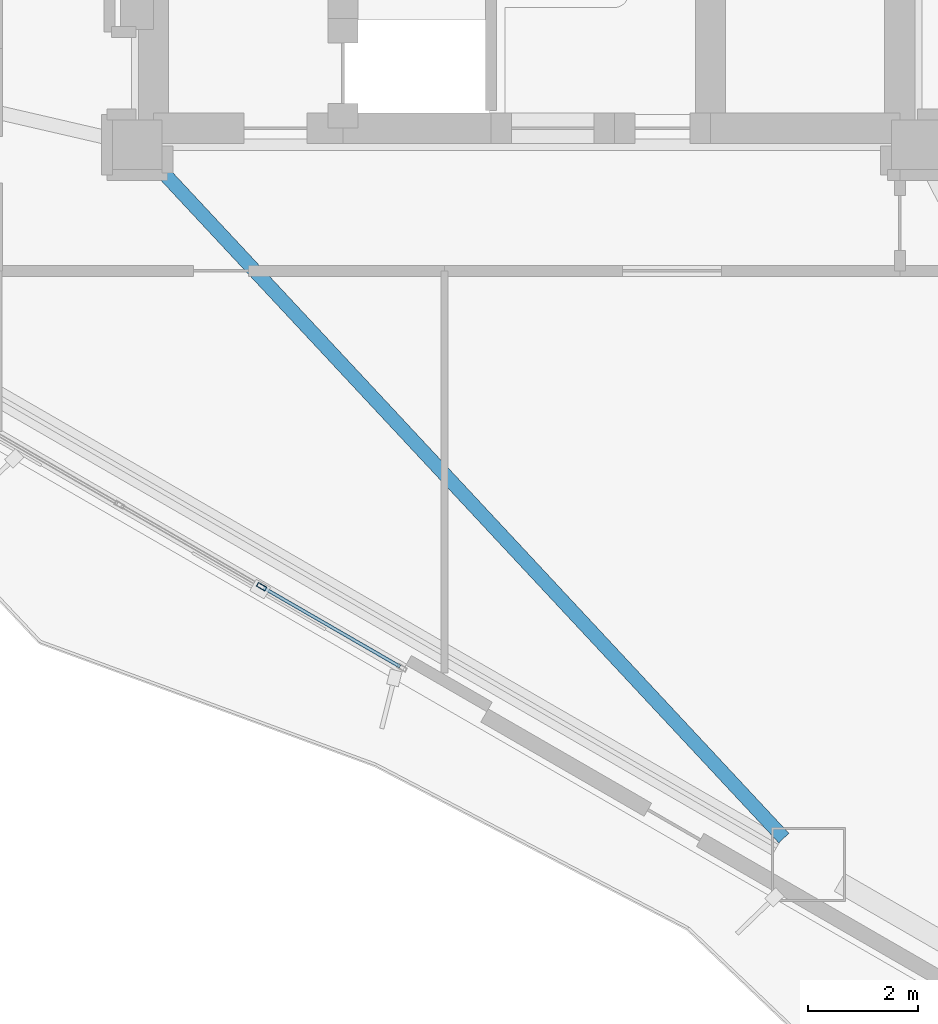
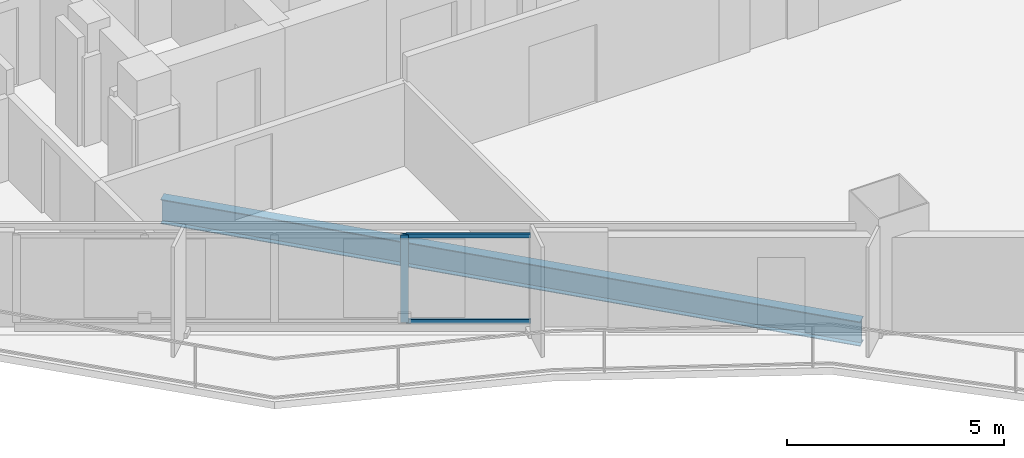
# One storey, part 4 of 16: 3 members, 1 beam, 1 element without a shape of its own.
"""IFC4 building model written with IfcOpenShell, lengths in metres."""

import ifcopenshell
import ifcopenshell.guid

model = None  # the IFC model being written
_history = None  # IfcOwnerHistory: only IFC2X3 demands one
_inside = {}  # id of a spatial element -> (the spatial element, [elements in it])
_under = {}  # id of a project, library or spatial element -> (it, [spatial elements below it])
_declared = {}  # id of a project -> (the project, [libraries it declares])
_typed = {}  # id of a type object -> (the type object, [elements of that type])
_made_of = {}  # id of a material, layer set ... -> (it, [elements and type objects made of it])


def new_model(schema):
    """Start an empty IFC model of exactly this schema.

    Asked for "IFC4X3", IfcOpenShell would pick the latest addendum, in which some entities
    have other attributes; the version numbers below select the first issue.
    IFC2X3 requires an IfcOwnerHistory on every rooted entity: one is made here for all.
    """
    global model, _history
    if schema == "IFC4X3":
        model = ifcopenshell.file(schema_version=(4, 3, 0, 0))
    else:
        model = ifcopenshell.file(schema=schema)
    _inside.clear()
    _under.clear()
    _declared.clear()
    _typed.clear()
    _made_of.clear()
    _history = None
    if model.schema == "IFC2X3":
        org = make("IfcOrganization", Name="unknown")
        user = make(
            "IfcPersonAndOrganization",
            ThePerson=make("IfcPerson", FamilyName="unknown"),
            TheOrganization=org,
        )
        app = make(
            "IfcApplication",
            ApplicationDeveloper=org,
            Version="unknown",
            ApplicationFullName="unknown",
            ApplicationIdentifier="unknown",
        )
        _history = make(
            "IfcOwnerHistory",
            OwningUser=user,
            OwningApplication=app,
            ChangeAction="ADDED",
            CreationDate=0,
        )
    return model


def make(cls, **values):
    """One entity of the class cls with the attributes given. An attribute that is None is left unset."""
    return model.create_entity(
        cls, **{name: value for name, value in values.items() if value is not None}
    )


def rooted(cls, **values):
    """An entity with a GlobalId (a new one), such as an element, a storey or a relation."""
    return make(cls, GlobalId=ifcopenshell.guid.new(), OwnerHistory=_history, **values)


def si_unit(unit_type, name, prefix=None):
    """IfcSIUnit, for example si_unit("LENGTHUNIT", "METRE", prefix="MILLI")."""
    return make("IfcSIUnit", UnitType=unit_type, Prefix=prefix, Name=name)


def assignment(units):
    """IfcUnitAssignment: the units of a project."""
    return None if units is None else make("IfcUnitAssignment", Units=units)


def point(xyz):
    """IfcCartesianPoint."""
    return None if xyz is None else make("IfcCartesianPoint", Coordinates=xyz)


def direction(xyz):
    """IfcDirection."""
    return None if xyz is None else make("IfcDirection", DirectionRatios=xyz)


def frame(location, z_axis=None, x_axis=None):
    """IfcAxis2Placement3D, a coordinate frame: its origin and axes. An axis left out is left unset."""
    return make(
        "IfcAxis2Placement3D",
        Location=point(location),
        Axis=direction(z_axis),
        RefDirection=direction(x_axis),
    )


def frame_2d(location, x_axis=None):
    """IfcAxis2Placement2D, a coordinate frame in the plane: its origin and x axis."""
    return make(
        "IfcAxis2Placement2D", Location=point(location), RefDirection=direction(x_axis)
    )


def origin():
    """The frame at (0, 0, 0) with its axes left unset."""
    return frame((0.0, 0.0, 0.0))


def origin_2d():
    """The frame at (0, 0) in the plane with its x axis left unset."""
    return frame_2d((0.0, 0.0))


def place(relative_to, where):
    """IfcLocalPlacement: puts the frame where relative to a parent placement (None: the world)."""
    return make(
        "IfcLocalPlacement", PlacementRelTo=relative_to, RelativePlacement=where
    )


def context(
    kind, dimensions, precision=None, world=None, true_north=None, identifier=None
):
    """IfcGeometricRepresentationContext, for example the 3D "Model" context."""
    return make(
        "IfcGeometricRepresentationContext",
        ContextIdentifier=identifier,
        ContextType=kind,
        CoordinateSpaceDimension=dimensions,
        Precision=precision,
        WorldCoordinateSystem=world,
        TrueNorth=true_north,
    )


def subcontext(parent, identifier, kind, view, scale=None):
    """IfcGeometricRepresentationSubContext, for example "Body" below "Model"."""
    return make(
        "IfcGeometricRepresentationSubContext",
        ContextIdentifier=identifier,
        ContextType=kind,
        ParentContext=parent,
        TargetScale=scale,
        TargetView=view,
    )


def project(units=None, contexts=None):
    """IfcProject with its units and contexts."""
    return rooted(
        "IfcProject",
        Name="project",
        RepresentationContexts=contexts,
        UnitsInContext=assignment(units),
    )


def spatial(cls, under=None, at=None, **own):
    """A site, building, storey or space (cls), placed at a placement, below another one or the project."""
    s = rooted(cls, ObjectPlacement=at, **own)
    if under is not None:
        _under.setdefault(under.id(), (under, []))[1].append(s)
    return s


def profile(cls, at=None, kind="AREA", **sizes):
    """A parametric profile (cls). Its sizes go by their IFC names, for example OverallWidth=200.0."""
    return make(cls, ProfileType=kind, Position=at, **sizes)


def hollow_rectangle(**sizes):
    """IfcRectangleHollowProfileDef."""
    return profile("IfcRectangleHollowProfileDef", **sizes)


def i_section(**sizes):
    """IfcIShapeProfileDef."""
    return profile("IfcIShapeProfileDef", **sizes)


def extrude(swept, where, along, depth):
    """IfcExtrudedAreaSolid: the profile swept, set in the frame where, extruded along a direction by depth."""
    return make(
        "IfcExtrudedAreaSolid",
        SweptArea=swept,
        Position=where,
        ExtrudedDirection=direction(along),
        Depth=depth,
    )


def shape(context_of_items, identifier, shape_type, items):
    """IfcShapeRepresentation: the items that make up one representation, for example the "Body"."""
    return make(
        "IfcShapeRepresentation",
        ContextOfItems=context_of_items,
        RepresentationIdentifier=identifier,
        RepresentationType=shape_type,
        Items=items,
    )


def material(Name=None, Category=None):
    """IfcMaterial."""
    return make("IfcMaterial", Name=Name, Category=Category)


def layer(
    of_material, thickness, ventilated=None, Name=None, Category=None, Priority=None
):
    """IfcMaterialLayer: one layer of a wall or slab, of a material (None: an air gap)."""
    return make(
        "IfcMaterialLayer",
        Material=of_material,
        LayerThickness=thickness,
        IsVentilated=ventilated,
        Name=Name,
        Category=Category,
        Priority=Priority,
    )


def layer_set(layers, Name=None):
    """IfcMaterialLayerSet."""
    return make("IfcMaterialLayerSet", MaterialLayers=layers, LayerSetName=Name)


def material_profile(
    of_material, cross_section, Name=None, Category=None, Priority=None
):
    """IfcMaterialProfile: a cross section and its material."""
    return make(
        "IfcMaterialProfile",
        Name=Name,
        Material=of_material,
        Profile=cross_section,
        Priority=Priority,
        Category=Category,
    )


def profile_set(profiles, Name=None, composite=None):
    """IfcMaterialProfileSet."""
    return make(
        "IfcMaterialProfileSet",
        Name=Name,
        MaterialProfiles=profiles,
        CompositeProfile=composite,
    )


def made_of(thing, what):
    """Note that an element or type object is made of a material, layer set ...; save() writes the relation."""
    if what is not None:
        _made_of.setdefault(what.id(), (what, []))[1].append(thing)
    return thing


def type_object(cls, material=None, **own):
    """A type object (cls), such as IfcWallType, which elements share."""
    return made_of(rooted(cls, **own), material)


def element(
    cls,
    number,
    at=None,
    inside=None,
    cuts=None,
    type_object=None,
    material=None,
    context=None,
    identifier="Body",
    shape_type=None,
    held_by="IfcProductDefinitionShape",
    body=None,
    shapes=None,
    **own,
):
    """One element of the class cls, such as IfcWall. Its Tag is "e" and its number.

    at: its placement. inside: the storey or other place that contains it. cuts: it is an
    opening in that element (IfcRelVoidsElement). A single representation is given by context,
    identifier, shape_type and body (its items); several are given by shapes. held_by: the class
    of the entity that holds the representations. save() writes the other relations.
    """
    e = rooted(cls, Tag="e%d" % number, ObjectPlacement=at, **own)
    if body is not None:
        shapes = [shape(context, identifier, shape_type, body)]
    if shapes is not None:
        e.Representation = make(held_by, Representations=shapes)
    if inside is not None:
        _inside.setdefault(inside.id(), (inside, []))[1].append(e)
    if cuts is not None:
        rooted(
            "IfcRelVoidsElement", RelatingBuildingElement=cuts, RelatedOpeningElement=e
        )
    if type_object is not None:
        _typed.setdefault(type_object.id(), (type_object, []))[1].append(e)
    return made_of(e, material)


def aggregate(whole, parts):
    """IfcRelAggregates: a whole, such as a stair, and the parts it consists of."""
    return rooted("IfcRelAggregates", RelatingObject=whole, RelatedObjects=parts)


def save(model, path):
    """Write the relations noted so far, then the file.

    IfcRelAggregates (storeys below a building ...), IfcRelContainedInSpatialStructure (elements
    in a storey), IfcRelDefinesByType, IfcRelAssociatesMaterial and IfcRelDeclares: one each for
    every whole, place, type object, material and project.
    """
    for whole, parts in _under.values():
        aggregate(whole, parts)
    for where, things in _inside.values():
        rooted(
            "IfcRelContainedInSpatialStructure",
            RelatedElements=things,
            RelatingStructure=where,
        )
    for kind, things in _typed.values():
        rooted("IfcRelDefinesByType", RelatedObjects=things, RelatingType=kind)
    for what, things in _made_of.values():
        rooted("IfcRelAssociatesMaterial", RelatedObjects=things, RelatingMaterial=what)
    for by, libraries in _declared.values():
        rooted("IfcRelDeclares", RelatingContext=by, RelatedDefinitions=libraries)
    model.write(path)


model = new_model("IFC4")

# Units and contexts
model_context = context("Model", 3, precision=1e-05, world=origin(), true_north=direction((0.0, 1.0)))
body_context = subcontext(model_context, "Body", "Model", "MODEL_VIEW")
ifc_project = project(units=[si_unit("LENGTHUNIT", "METRE"), si_unit("AREAUNIT", "SQUARE_METRE"), si_unit("VOLUMEUNIT", "CUBIC_METRE"), si_unit("PLANEANGLEUNIT", "RADIAN"), si_unit("MASSUNIT", "GRAM", prefix="KILO")], contexts=[model_context])

# Site, building, storey
site_placement = place(None, origin())
site = spatial("IfcSite", under=ifc_project, at=site_placement, CompositionType="ELEMENT")
building_placement = place(site_placement, origin())
building = spatial("IfcBuilding", under=site, at=building_placement, Name="Mersakhor Tower and Convention Hall", CompositionType="ELEMENT")
storey_placement = place(building_placement, frame((0.0, 0.0, 19.199951171875)))
storey = spatial("IfcBuildingStorey", under=building, at=storey_placement, Name="L04", CompositionType="ELEMENT", Elevation=19.199951171875)

# Beam
ifc_material_1 = material(Name="Steel S355", Category="steel")
ifc_material_profile_1 = material_profile(ifc_material_1, i_section(OverallWidth=0.25439453125, OverallDepth=0.6875, WebThickness=0.01318359375, FlangeThickness=0.02099609375, at=origin_2d()), Name="UB 686x254x152")
ifc_profile_set_1 = profile_set([ifc_material_profile_1], Name="Steel S355")
beam_type = type_object("IfcBeamType", Name="BM-PR-686", PredefinedType="BEAM", material=ifc_profile_set_1)
beam_placement = place(storey_placement, frame((22.193359375, 20.135498046875, -0.62353515625), z_axis=(0.68200435324, -0.731348112845, 0.0), x_axis=(0.731348112845, 0.68200435324, 0.0)))
element("IfcBeam", 1, at=beam_placement, inside=storey, type_object=beam_type, Name="L04 Primary Floor Girder FG-5", PredefinedType="BEAM", context=body_context, shape_type="SweptSolid", body=[
    extrude(i_section(OverallWidth=0.25439453125, OverallDepth=0.6875, WebThickness=0.01318359375, FlangeThickness=0.02099609375, at=origin_2d()), origin(), (0.0, 0.0, 1.0), 16.85205078125),
])

# Curtain wall, members
ifc_material_2 = material(Name="Dark solar low-E aluminium curtain wall", Category="aluminium")
ifc_layer = layer(ifc_material_2, 0.18994140625)
ifc_layer_set = layer_set([ifc_layer], Name="Dark solar low-E aluminium curtain wall")
curtain_wall_type = type_object("IfcCurtainWallType", Name="CW-SYS-04", PredefinedType="USERDEFINED", material=ifc_layer_set)
curtain_wall_placement = place(storey_placement, origin())
curtain_wall = element("IfcCurtainWall", 2, at=curtain_wall_placement, inside=storey, type_object=curtain_wall_type, Name="L04 Dark-Glass Curtain Wall F3-B2", ObjectType="CURTAIN WALL", PredefinedType="USERDEFINED")
ifc_material_3 = material(Name="Anodised aluminium EN AW-6063 T6", Category="aluminium")
ifc_material_profile_2 = material_profile(ifc_material_3, hollow_rectangle(XDim=0.080078125, YDim=0.179931640625, WallThickness=0.008056640625, at=origin_2d()), Name="RHS 180x80x8")
ifc_profile_set_2 = profile_set([ifc_material_profile_2], Name="Anodised aluminium EN AW-6063 T6")
member_type_1 = type_object("IfcMemberType", Name="CWM-180x80", PredefinedType="MULLION", material=ifc_profile_set_2)
member_1_placement = place(storey_placement, frame((24.167236328125, 12.392822265625, 0.199951171875), z_axis=(0.0, 0.0, 1.0), x_axis=(-0.50000344889, -0.866023412558, 0.0)))
member_1 = element("IfcMember", 3, at=member_1_placement, type_object=member_type_1, Name="CW-04 mullion 2", PredefinedType="MULLION", context=body_context, shape_type="SweptSolid", body=[
    extrude(hollow_rectangle(XDim=0.080078125, YDim=0.179931640625, WallThickness=0.008056640625, at=origin_2d()), origin(), (0.0, 0.0, 1.0), 2.460205078125),
])
ifc_material_4 = material(Name="Anodised aluminium EN AW-6063 T6", Category="aluminium")
ifc_material_profile_3 = material_profile(ifc_material_4, hollow_rectangle(XDim=0.06005859375, YDim=0.1201171875, WallThickness=0.0048828125, at=origin_2d()), Name="RHS 120x60x5")
ifc_profile_set_3 = profile_set([ifc_material_profile_3], Name="Anodised aluminium EN AW-6063 T6")
member_type_2 = type_object("IfcMemberType", Name="CWT-120x60", PredefinedType="USERDEFINED", material=ifc_profile_set_3)
member_2_placement = place(storey_placement, frame((26.690185546875, 10.936279296875, 0.22998046875), z_axis=(-0.866038426532, 0.499977443261, 0.0), x_axis=(-0.499977443261, -0.866038426532, 0.0)))
member_2 = element("IfcMember", 4, at=member_2_placement, type_object=member_type_2, Name="CW-04 transom 1.1", ObjectType="TRANSOM", PredefinedType="USERDEFINED", context=body_context, shape_type="SweptSolid", body=[
    extrude(hollow_rectangle(XDim=0.06005859375, YDim=0.1201171875, WallThickness=0.0048828125, at=origin_2d()), origin(), (0.0, 0.0, 1.0), 2.873291015625),
])
member_3_placement = place(storey_placement, frame((26.690185546875, 10.936279296875, 2.630126953125), z_axis=(-0.866038426532, 0.499977443261, 0.0), x_axis=(-0.499977443261, -0.866038426532, 0.0)))
member_3 = element("IfcMember", 5, at=member_3_placement, type_object=member_type_2, Name="CW-04 transom 1.2", ObjectType="TRANSOM", PredefinedType="USERDEFINED", context=body_context, shape_type="SweptSolid", body=[
    extrude(hollow_rectangle(XDim=0.06005859375, YDim=0.1201171875, WallThickness=0.0048828125, at=origin_2d()), origin(), (0.0, 0.0, 1.0), 2.873291015625),
])
aggregate(curtain_wall, [member_1, member_2, member_3])

save(model, "model.ifc")
